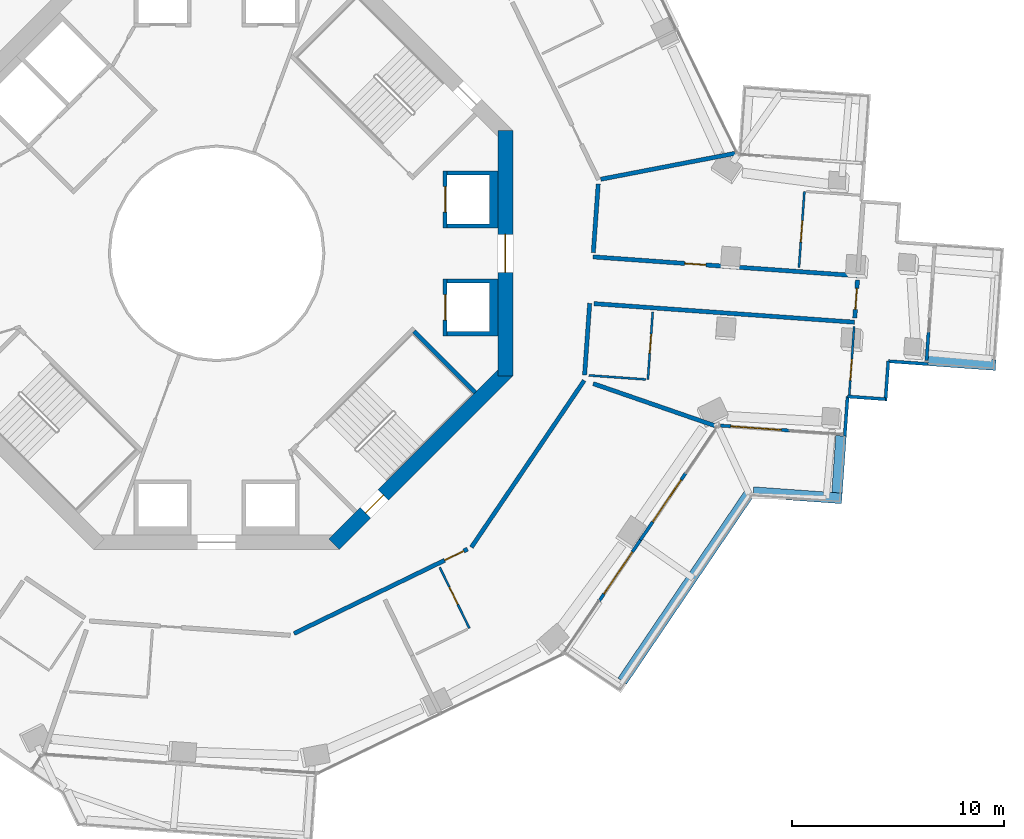
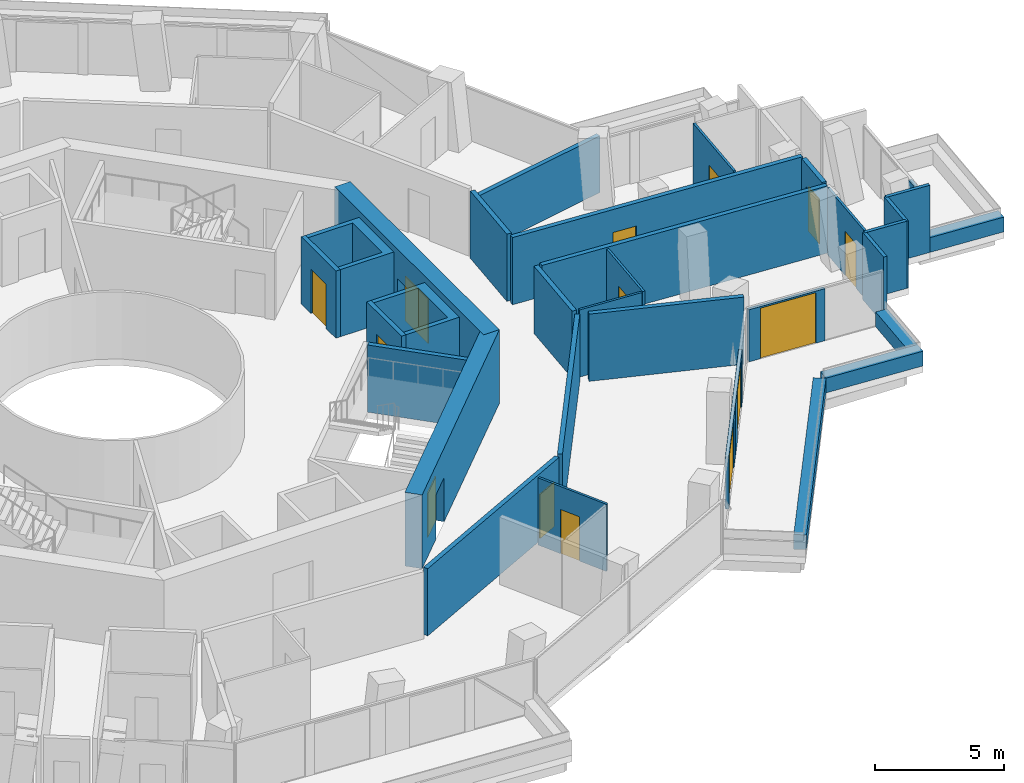
# One storey, part 16 of 22: 33 walls, 14 doors, 14 openings.
"""IFC4 building model written with IfcOpenShell, lengths in metres."""

from ifc_helpers import new_model, si_unit, direction, frame, frame_2d, origin, place, context, subcontext, project, spatial, polyline, rectangle, outline, extrude, material, layer, layer_set, type_object, element, fill, save


model = new_model("IFC4")

# Units and contexts
model_context = context("Model", 3, precision=1e-05, world=origin(), true_north=direction((0.0, 1.0)))
body_context = subcontext(model_context, "Body", "Model", "MODEL_VIEW")
ifc_project = project(units=[si_unit("LENGTHUNIT", "METRE"), si_unit("AREAUNIT", "SQUARE_METRE"), si_unit("VOLUMEUNIT", "CUBIC_METRE"), si_unit("PLANEANGLEUNIT", "RADIAN"), si_unit("MASSUNIT", "GRAM", prefix="KILO")], contexts=[model_context])

# Site, building, storey
site_placement = place(None, origin())
site = spatial("IfcSite", under=ifc_project, at=site_placement, CompositionType="ELEMENT")
building_placement = place(site_placement, origin())
building = spatial("IfcBuilding", under=site, at=building_placement, Name="Verdalira Terraces Hotel", CompositionType="ELEMENT")
storey_placement = place(building_placement, frame((0.0, 0.0, 140.0)))
storey = spatial("IfcBuildingStorey", under=building, at=storey_placement, Name="L33", CompositionType="ELEMENT", Elevation=140.0)

# Walls
ifc_material_1 = material(Name="Concrete C40", Category="concrete")
ifc_layer_1 = layer(ifc_material_1, 0.5)
ifc_layer_set_1 = layer_set([ifc_layer_1], Name="Balcony planter trough with tree")
wall_type_1 = type_object("IfcWallType", Name="Balcony planter trough with tree", PredefinedType="SOLIDWALL", material=ifc_layer_set_1)
wall_1_placement = place(storey_placement, frame((19.17334, -20.21582, 0.0), z_axis=(0.0, 0.0, 1.0), x_axis=(0.560356999, 0.82825119, 0.0)))
element("IfcWall", 1, at=wall_1_placement, inside=storey, type_object=wall_type_1, Name="Balcony planter", PredefinedType="SOLIDWALL", context=body_context, shape_type="SweptSolid", body=[
    extrude(rectangle(XDim=10.652588, YDim=0.5, at=frame_2d((5.326172, 0.0))), origin(), (0.0, 0.0, 1.0), 0.699951),
])
wall_2_placement = place(storey_placement, frame((25.367432, -11.283447, 0.0), z_axis=(0.0, 0.0, 1.0), x_axis=(0.997467254, -0.071127191, 0.0)))
element("IfcWall", 2, at=wall_2_placement, inside=storey, type_object=wall_type_1, Name="Balcony planter", PredefinedType="SOLIDWALL", context=body_context, shape_type="SweptSolid", body=[
    extrude(rectangle(XDim=4.197998, YDim=0.5, at=frame_2d((2.099121, 0.0))), origin(), (0.0, 0.0, 1.0), 0.699951),
])
wall_3_placement = place(storey_placement, frame((29.322998, -11.314941, 0.0), z_axis=(0.0, 0.0, 1.0), x_axis=(0.071189194, 0.997462831, 0.0)))
element("IfcWall", 3, at=wall_3_placement, inside=storey, type_object=wall_type_1, Name="Balcony planter", PredefinedType="SOLIDWALL", context=body_context, shape_type="SweptSolid", body=[
    extrude(rectangle(XDim=2.698975, YDim=0.5, at=frame_2d((1.349609, 0.0))), origin(), (0.0, 0.0, 1.0), 0.699951),
])
wall_4_placement = place(storey_placement, frame((33.630371, -5.055664, 0.0), z_axis=(0.0, 0.0, 1.0), x_axis=(0.997467215, -0.071127731, 0.0)))
element("IfcWall", 4, at=wall_4_placement, inside=storey, type_object=wall_type_1, Name="Balcony planter", PredefinedType="SOLIDWALL", context=body_context, shape_type="SweptSolid", body=[
    extrude(rectangle(XDim=3.198975, YDim=0.5, at=frame_2d((1.599609, 0.0))), origin(), (0.0, 0.0, 1.0), 0.699951),
])

# Wall, opening, door
ifc_material_2 = material(Name="Moisture-resistant gypsum board partition")
ifc_layer_2 = layer(ifc_material_2, 0.10009765625)
ifc_layer_set_2 = layer_set([ifc_layer_2], Name="Bathroom partition 100 mm")
wall_type_2 = type_object("IfcWallType", Name="Bathroom partition 100 mm", PredefinedType="PARTITIONING", material=ifc_layer_set_2)
wall_5_placement = place(storey_placement, frame((11.947021, -17.718506, 0.0), z_axis=(0.0, 0.0, 1.0), x_axis=(-0.437175564, 0.899376187, 0.0)))
wall_5 = element("IfcWall", 5, at=wall_5_placement, inside=storey, type_object=wall_type_2, Name="Bathroom partition", PredefinedType="PARTITIONING", context=body_context, shape_type="SweptSolid", body=[
    extrude(rectangle(XDim=3.199951, YDim=0.100098, at=frame_2d((1.600098, 0.0))), origin(), (0.0, 0.0, 1.0), 3.189941),
])
opening_1_placement = place(wall_5_placement, frame((1.25, 0.0, 0.0)))
opening_1 = element("IfcOpeningElement", 6, at=opening_1_placement, cuts=wall_5, Name="Opening L33-120", PredefinedType="OPENING", context=body_context, shape_type="SweptSolid", body=[
    extrude(rectangle(XDim=0.899902, YDim=2.100098, at=frame_2d((0.449951, 1.050049))), frame((0.0, 0.060059, 0.0), z_axis=(0.0, -1.0, 0.0), x_axis=(1.0, 0.0, 0.0)), (0.0, 0.0, 1.0), 0.120117),
])
ifc_material_3 = material(Name="Timber door", Category="wood")
door_type_1 = type_object("IfcDoorType", Name="Bathroom door 900 x 2100", OperationType="NOTDEFINED", PredefinedType="DOOR", material=ifc_material_3)
door_1_placement = place(opening_1_placement, origin())
door_1 = element("IfcDoor", 7, at=door_1_placement, inside=storey, type_object=door_type_1, Name="Bathroom door 3307", OperationType="SINGLE_SWING_LEFT", OverallHeight=2.10009765625, OverallWidth=0.89990234375, PredefinedType="DOOR", context=body_context, shape_type="SweptSolid", body=[
    extrude(rectangle(XDim=0.899902, YDim=2.100098, at=frame_2d((0.449951, 1.050049))), frame((0.0, 0.024902, 0.0), z_axis=(0.0, -1.0, 0.0), x_axis=(1.0, 0.0, 0.0)), (0.0, 0.0, 1.0), 0.050049),
])
fill(opening_1, door_1)

# Wall
wall_6_placement = place(storey_placement, frame((17.592529, -5.766357, 0.0), z_axis=(0.0, 0.0, 1.0), x_axis=(0.997465121, -0.071157093, 0.0)))
element("IfcWall", 8, at=wall_6_placement, inside=storey, type_object=wall_type_2, Name="Bathroom partition", PredefinedType="PARTITIONING", context=body_context, shape_type="SweptSolid", body=[
    extrude(rectangle(XDim=2.700195, YDim=0.100098, at=frame_2d((1.350098, 0.0))), origin(), (0.0, 0.0, 1.0), 3.189941),
])

# Wall, opening, door
wall_7_placement = place(storey_placement, frame((20.385498, -5.965576, 0.0), z_axis=(0.0, 0.0, 1.0), x_axis=(0.071181987, 0.997463345, 0.0)))
wall_7 = element("IfcWall", 9, at=wall_7_placement, inside=storey, type_object=wall_type_2, Name="Bathroom partition", PredefinedType="PARTITIONING", context=body_context, shape_type="SweptSolid", body=[
    extrude(rectangle(XDim=3.199951, YDim=0.100098, at=frame_2d((1.600098, 0.0))), origin(), (0.0, 0.0, 1.0), 3.189941),
])
opening_2_placement = place(wall_7_placement, frame((1.25, 0.0, 0.0)))
opening_2 = element("IfcOpeningElement", 10, at=opening_2_placement, cuts=wall_7, Name="Opening L33-123", PredefinedType="OPENING", context=body_context, shape_type="SweptSolid", body=[
    extrude(rectangle(XDim=0.899902, YDim=2.100098, at=frame_2d((0.449951, 1.050049))), frame((0.0, 0.060059, 0.0), z_axis=(0.0, -1.0, 0.0), x_axis=(1.0, 0.0, 0.0)), (0.0, 0.0, 1.0), 0.120117),
])
door_2_placement = place(opening_2_placement, origin())
door_2 = element("IfcDoor", 11, at=door_2_placement, inside=storey, type_object=door_type_1, Name="Bathroom door 3308", OperationType="SINGLE_SWING_LEFT", OverallHeight=2.10009765625, OverallWidth=0.89990234375, PredefinedType="DOOR", context=body_context, shape_type="SweptSolid", body=[
    extrude(rectangle(XDim=0.899902, YDim=2.100098, at=frame_2d((0.449951, 1.050049))), frame((0.0, 0.024902, 0.0), z_axis=(0.0, -1.0, 0.0), x_axis=(1.0, 0.0, 0.0)), (0.0, 0.0, 1.0), 0.050049),
])
fill(opening_2, door_2)

wall_8_placement = place(storey_placement, frame((27.782715, 2.930664, 0.0), z_axis=(0.0, 0.0, 1.0), x_axis=(-0.07114102, -0.997466268, 0.0)))
wall_8 = element("IfcWall", 12, at=wall_8_placement, inside=storey, type_object=wall_type_2, Name="Bathroom partition", PredefinedType="PARTITIONING", context=body_context, shape_type="SweptSolid", body=[
    extrude(rectangle(XDim=3.599854, YDim=0.100098, at=frame_2d((1.799805, 0.0))), origin(), (0.0, 0.0, 1.0), 3.189941),
])
opening_3_placement = place(wall_8_placement, frame((1.399902, 0.0, 0.0)))
opening_3 = element("IfcOpeningElement", 13, at=opening_3_placement, cuts=wall_8, Name="Opening L33-125", PredefinedType="OPENING", context=body_context, shape_type="SweptSolid", body=[
    extrude(rectangle(XDim=1.0, YDim=2.100098, at=frame_2d((0.5, 1.050049))), frame((0.0, 0.060059, 0.0), z_axis=(0.0, -1.0, 0.0), x_axis=(1.0, 0.0, 0.0)), (0.0, 0.0, 1.0), 0.120117),
])
ifc_material_4 = material(Name="Timber door", Category="wood")
door_type_2 = type_object("IfcDoorType", Name="Bathroom door 1000 x 2100", OperationType="NOTDEFINED", PredefinedType="DOOR", material=ifc_material_4)
door_3_placement = place(opening_3_placement, origin())
door_3 = element("IfcDoor", 14, at=door_3_placement, inside=storey, type_object=door_type_2, Name="Bathroom door 3309", OperationType="SINGLE_SWING_LEFT", OverallHeight=2.10009765625, OverallWidth=1.0, PredefinedType="DOOR", context=body_context, shape_type="SweptSolid", body=[
    extrude(rectangle(XDim=1.0, YDim=2.100098, at=frame_2d((0.5, 1.050049))), frame((0.0, 0.024902, 0.0), z_axis=(0.0, -1.0, 0.0), x_axis=(1.0, 0.0, 0.0)), (0.0, 0.0, 1.0), 0.050049),
])
fill(opening_3, door_3)

wall_9_placement = place(storey_placement, frame((29.903076, -6.696533, 0.0), z_axis=(0.0, 0.0, 1.0), x_axis=(0.071172355, 0.997464032, 0.0)))
wall_9 = element("IfcWall", 15, at=wall_9_placement, inside=storey, type_object=wall_type_2, Name="Bathroom partition", PredefinedType="PARTITIONING", context=body_context, shape_type="SweptSolid", body=[
    extrude(rectangle(XDim=3.251953, YDim=0.100098, at=frame_2d((1.625977, 0.0))), origin(), (0.0, 0.0, 1.0), 3.189941),
])
opening_4_placement = place(wall_9_placement, frame((0.699951, 0.0, 0.0)))
opening_4 = element("IfcOpeningElement", 16, at=opening_4_placement, cuts=wall_9, Name="Opening L33-122", PredefinedType="OPENING", context=body_context, shape_type="SweptSolid", body=[
    extrude(rectangle(XDim=1.0, YDim=2.100098, at=frame_2d((0.5, 1.050049))), frame((0.0, 0.060059, 0.0), z_axis=(0.0, -1.0, 0.0), x_axis=(1.0, 0.0, 0.0)), (0.0, 0.0, 1.0), 0.120117),
])
ifc_material_5 = material(Name="Timber door", Category="wood")
door_type_3 = type_object("IfcDoorType", Name="Suite internal door 1000 x 2100", OperationType="NOTDEFINED", PredefinedType="DOOR", material=ifc_material_5)
door_4_placement = place(opening_4_placement, origin())
door_4 = element("IfcDoor", 17, at=door_4_placement, inside=storey, type_object=door_type_3, Name="Suite internal door 3308", OperationType="SINGLE_SWING_LEFT", OverallHeight=2.10009765625, OverallWidth=1.0, PredefinedType="DOOR", context=body_context, shape_type="SweptSolid", body=[
    extrude(rectangle(XDim=1.0, YDim=2.100098, at=frame_2d((0.5, 1.050049))), frame((0.0, 0.024902, 0.0), z_axis=(0.0, -1.0, 0.0), x_axis=(1.0, 0.0, 0.0)), (0.0, 0.0, 1.0), 0.050049),
])
fill(opening_4, door_4)

# Wall
ifc_material_6 = material(Name="Concrete C50", Category="concrete")
ifc_layer_3 = layer(ifc_material_6, 0.199951171875)
ifc_layer_set_3 = layer_set([ifc_layer_3], Name="Core RC wall 200 C50")
wall_type_3 = type_object("IfcWallType", Name="Core RC wall 200 C50", PredefinedType="SOLIDWALL", material=ifc_layer_set_3)
wall_10_placement = place(storey_placement, origin())
element("IfcWall", 18, at=wall_10_placement, inside=storey, type_object=wall_type_3, Name="L33 shaft wall E1", PredefinedType="SOLIDWALL", context=body_context, shape_type="SweptSolid", body=[
    extrude(outline(polyline([(13.300049, -3.899902), (10.899902, -3.899902), (10.899902, -3.699951), (12.899902, -3.699951), (12.899902, -1.399902), (10.899902, -1.399902), (10.899902, -1.199951), (13.300049, -1.199951), (13.300049, -3.899902)])), origin(), (0.0, 0.0, 1.0), 3.189941),
])

# Wall, opening, door
wall_11_placement = place(storey_placement, frame((10.800049, -1.199951, 0.0), z_axis=(0.0, 0.0, 1.0), x_axis=(0.0, -1.0, 0.0)))
wall_11 = element("IfcWall", 19, at=wall_11_placement, inside=storey, type_object=wall_type_3, Name="L33 shaft front wall E1", PredefinedType="SOLIDWALL", context=body_context, shape_type="SweptSolid", body=[
    extrude(rectangle(XDim=2.699951, YDim=0.199951, at=frame_2d((1.350098, 0.0))), origin(), (0.0, 0.0, 1.0), 3.189941),
])
opening_5_placement = place(wall_11_placement, frame((0.75, 0.0, 0.0)))
opening_5 = element("IfcOpeningElement", 20, at=opening_5_placement, cuts=wall_11, Name="Opening LD-L33-801", PredefinedType="OPENING", context=body_context, shape_type="SweptSolid", body=[
    extrude(rectangle(XDim=1.199951, YDim=2.100098, at=frame_2d((0.600098, 1.050049))), frame((0.0, 0.109863, 0.0), z_axis=(0.0, -1.0, 0.0), x_axis=(1.0, 0.0, 0.0)), (0.0, 0.0, 1.0), 0.219971),
])
ifc_material_7 = material(Name="Stainless steel", Category="steel")
door_type_4 = type_object("IfcDoorType", Name="Landing door 1200 x 2100", OperationType="NOTDEFINED", PredefinedType="DOOR", material=ifc_material_7)
door_5_placement = place(opening_5_placement, origin())
door_5 = element("IfcDoor", 21, at=door_5_placement, inside=storey, type_object=door_type_4, Name="Lift landing door LR1 L33", OperationType="DOUBLE_DOOR_SLIDING", OverallHeight=2.10009765625, OverallWidth=1.199951171875, PredefinedType="DOOR", context=body_context, shape_type="SweptSolid", body=[
    extrude(rectangle(XDim=1.199951, YDim=2.100098, at=frame_2d((0.600098, 1.050049))), frame((0.0, 0.024902, 0.0), z_axis=(0.0, -1.0, 0.0), x_axis=(1.0, 0.0, 0.0)), (0.0, 0.0, 1.0), 0.050049),
])
fill(opening_5, door_5)

# Wall
wall_12_placement = place(storey_placement, origin())
element("IfcWall", 22, at=wall_12_placement, inside=storey, type_object=wall_type_3, Name="L33 shaft wall E2", PredefinedType="SOLIDWALL", context=body_context, shape_type="SweptSolid", body=[
    extrude(outline(polyline([(13.300049, 3.899902), (13.300049, 1.199951), (10.899902, 1.199951), (10.899902, 1.399902), (12.899902, 1.399902), (12.899902, 3.699951), (10.899902, 3.699951), (10.899902, 3.899902), (13.300049, 3.899902)])), origin(), (0.0, 0.0, 1.0), 3.189941),
])

# Wall, opening, door
wall_13_placement = place(storey_placement, frame((10.800049, 1.199951, 0.0), z_axis=(0.0, 0.0, 1.0), x_axis=(0.0, 1.0, 0.0)))
wall_13 = element("IfcWall", 23, at=wall_13_placement, inside=storey, type_object=wall_type_3, Name="L33 shaft front wall E2", PredefinedType="SOLIDWALL", context=body_context, shape_type="SweptSolid", body=[
    extrude(rectangle(XDim=2.699951, YDim=0.199951, at=frame_2d((1.350098, 0.0))), origin(), (0.0, 0.0, 1.0), 3.189941),
])
opening_6_placement = place(wall_13_placement, frame((0.75, 0.0, 0.0)))
opening_6 = element("IfcOpeningElement", 24, at=opening_6_placement, cuts=wall_13, Name="Opening LD-L33-802", PredefinedType="OPENING", context=body_context, shape_type="SweptSolid", body=[
    extrude(rectangle(XDim=1.199951, YDim=2.100098, at=frame_2d((0.600098, 1.050049))), frame((0.0, 0.109863, 0.0), z_axis=(0.0, -1.0, 0.0), x_axis=(1.0, 0.0, 0.0)), (0.0, 0.0, 1.0), 0.219971),
])
door_6_placement = place(opening_6_placement, origin())
door_6 = element("IfcDoor", 25, at=door_6_placement, inside=storey, type_object=door_type_4, Name="Lift landing door LR2 L33", OperationType="DOUBLE_DOOR_SLIDING", OverallHeight=2.10009765625, OverallWidth=1.199951171875, PredefinedType="DOOR", context=body_context, shape_type="SweptSolid", body=[
    extrude(rectangle(XDim=1.199951, YDim=2.100098, at=frame_2d((0.600098, 1.050049))), frame((0.0, 0.024902, 0.0), z_axis=(0.0, -1.0, 0.0), x_axis=(1.0, 0.0, 0.0)), (0.0, 0.0, 1.0), 0.050049),
])
fill(opening_6, door_6)

# Wall
wall_14_placement = place(storey_placement, frame((9.33374, -3.677002, 0.0), z_axis=(0.0, 0.0, 1.0), x_axis=(0.707106781, -0.707106781, 0.0)))
element("IfcWall", 26, at=wall_14_placement, inside=storey, type_object=wall_type_3, Name="L33 stair ST3 end wall 2", PredefinedType="SOLIDWALL", context=body_context, shape_type="SweptSolid", body=[
    extrude(rectangle(XDim=4.100098, YDim=0.199951, at=frame_2d((2.050049, 0.0))), origin(), (0.0, 0.0, 1.0), 3.189941),
])

# Wall, opening, door
ifc_material_8 = material(Name="Concrete C60", Category="concrete")
ifc_layer_4 = layer(ifc_material_8, 0.699951171875)
ifc_layer_set_4 = layer_set([ifc_layer_4], Name="Core wall 700 C60")
wall_type_4 = type_object("IfcWallType", Name="Core wall 700 C60", PredefinedType="SHEAR", material=ifc_layer_set_4)
wall_15_placement = place(storey_placement, frame((13.649902, -5.799072, 0.0), z_axis=(0.0, 0.0, 1.0), x_axis=(0.0, 1.0, 0.0)))
wall_15 = element("IfcWall", 27, at=wall_15_placement, inside=storey, type_object=wall_type_4, Name="Core wall CW-L33-1", PredefinedType="SHEAR", context=body_context, shape_type="SweptSolid", body=[
    extrude(rectangle(XDim=11.598145, YDim=0.699951, at=frame_2d((5.799072, 0.0))), origin(), (0.0, 0.0, 1.0), 3.5),
])
opening_7_placement = place(wall_15_placement, frame((4.898926, 0.0, 0.0)))
opening_7 = element("IfcOpeningElement", 28, at=opening_7_placement, cuts=wall_15, Name="Opening L33-812", PredefinedType="OPENING", context=body_context, shape_type="SweptSolid", body=[
    extrude(rectangle(XDim=1.800049, YDim=2.100098, at=frame_2d((0.899902, 1.050049))), frame((0.0, 0.359863, 0.0), z_axis=(0.0, -1.0, 0.0), x_axis=(1.0, 0.0, 0.0)), (0.0, 0.0, 1.0), 0.719971),
])
ifc_material_9 = material(Name="Steel fire door", Category="steel")
door_type_5 = type_object("IfcDoorType", Name="Core entry door pair 1800 x 2100", OperationType="NOTDEFINED", PredefinedType="DOOR", material=ifc_material_9)
door_7_placement = place(opening_7_placement, origin())
door_7 = element("IfcDoor", 29, at=door_7_placement, inside=storey, type_object=door_type_5, Name="Core entry door L33 0", OperationType="DOUBLE_DOOR_SINGLE_SWING", OverallHeight=2.10009765625, OverallWidth=1.800048828125, PredefinedType="DOOR", context=body_context, shape_type="SweptSolid", body=[
    extrude(rectangle(XDim=1.800049, YDim=2.100098, at=frame_2d((0.899902, 1.050049))), frame((0.0, 0.024902, 0.0), z_axis=(0.0, -1.0, 0.0), x_axis=(1.0, 0.0, 0.0)), (0.0, 0.0, 1.0), 0.050049),
])
fill(opening_7, door_7)

wall_16_placement = place(storey_placement, frame((5.551514, -13.752441, 0.0), z_axis=(0.0, 0.0, 1.0), x_axis=(0.707106781, 0.707106781, 0.0)))
wall_16 = element("IfcWall", 30, at=wall_16_placement, inside=storey, type_object=wall_type_4, Name="Core wall CW-L33-8", PredefinedType="SHEAR", context=body_context, shape_type="SweptSolid", body=[
    extrude(rectangle(XDim=11.5979, YDim=0.699951, at=frame_2d((5.798828, 0.0))), origin(), (0.0, 0.0, 1.0), 3.5),
])
opening_8_placement = place(wall_16_placement, frame((2.099121, 0.0, 0.0)))
opening_8 = element("IfcOpeningElement", 31, at=opening_8_placement, cuts=wall_16, Name="Opening L33-818", PredefinedType="OPENING", context=body_context, shape_type="SweptSolid", body=[
    extrude(rectangle(XDim=1.199951, YDim=2.100098, at=frame_2d((0.600098, 1.050049))), frame((0.0, 0.359863, 0.0), z_axis=(0.0, -1.0, 0.0), x_axis=(1.0, 0.0, 0.0)), (0.0, 0.0, 1.0), 0.719971),
])
ifc_material_10 = material(Name="Steel fire door", Category="steel")
door_type_6 = type_object("IfcDoorType", Name="Stair door 1200 x 2100", OperationType="NOTDEFINED", PredefinedType="DOOR", material=ifc_material_10)
door_8_placement = place(opening_8_placement, origin())
door_8 = element("IfcDoor", 32, at=door_8_placement, inside=storey, type_object=door_type_6, Name="Stair exit door ST3 L33", OperationType="SINGLE_SWING_LEFT", OverallHeight=2.10009765625, OverallWidth=1.199951171875, PredefinedType="DOOR", context=body_context, shape_type="SweptSolid", body=[
    extrude(rectangle(XDim=1.199951, YDim=2.100098, at=frame_2d((0.600098, 1.050049))), frame((0.0, 0.024902, 0.0), z_axis=(0.0, -1.0, 0.0), x_axis=(1.0, 0.0, 0.0)), (0.0, 0.0, 1.0), 0.050049),
])
fill(opening_8, door_8)

# Walls
ifc_material_11 = material(Name="Fire-rated gypsum board wall")
ifc_layer_5 = layer(ifc_material_11, 0.199951171875)
ifc_layer_set_5 = layer_set([ifc_layer_5], Name="Demising wall 200 mm")
wall_type_5 = type_object("IfcWallType", Name="Demising wall 200 mm", PredefinedType="SOLIDWALL", material=ifc_layer_set_5)
wall_17_placement = place(storey_placement, frame((17.797607, -6.156006, 0.0), z_axis=(0.0, 0.0, 1.0), x_axis=(0.945063679, -0.326886283, 0.0)))
element("IfcWall", 33, at=wall_17_placement, inside=storey, type_object=wall_type_5, Name="Demising wall", PredefinedType="SOLIDWALL", context=body_context, shape_type="SweptSolid", body=[
    extrude(rectangle(XDim=6.131836, YDim=0.199951, at=frame_2d((3.065918, 0.0))), origin(), (0.0, 0.0, 1.0), 3.189941),
])
ifc_material_12 = material(Name="Fire-rated gypsum board wall")
ifc_layer_6 = layer(ifc_material_12, 0.199951171875)
ifc_layer_set_6 = layer_set([ifc_layer_6], Name="Demising wall 200 mm to beam soffit")
wall_type_6 = type_object("IfcWallType", Name="Demising wall 200 mm to beam soffit", PredefinedType="SOLIDWALL", material=ifc_layer_set_6)
wall_18_placement = place(storey_placement, frame((18.153564, 3.502441, 0.0), z_axis=(0.0, 0.0, 1.0), x_axis=(0.981897644, 0.189412293, 0.0)))
element("IfcWall", 34, at=wall_18_placement, inside=storey, type_object=wall_type_6, Name="Demising wall", PredefinedType="SOLIDWALL", context=body_context, shape_type="SweptSolid", body=[
    extrude(rectangle(XDim=6.475586, YDim=0.199951, at=frame_2d((3.237793, 0.0))), origin(), (0.0, 0.0, 1.0), 2.689941),
])

# Wall, opening, door
ifc_material_13 = material(Name="Fire-rated gypsum board wall")
ifc_layer_7 = layer(ifc_material_13, 0.199951171875)
ifc_layer_set_7 = layer_set([ifc_layer_7], Name="Guest corridor wall 200 mm")
wall_type_7 = type_object("IfcWallType", Name="Guest corridor wall 200 mm", PredefinedType="SOLIDWALL", material=ifc_layer_set_7)
wall_19_placement = place(storey_placement, frame((11.861816, -13.979736, 0.0), z_axis=(0.0, 0.0, 1.0), x_axis=(-0.899416115, -0.437093413, 0.0)))
wall_19 = element("IfcWall", 35, at=wall_19_placement, inside=storey, type_object=wall_type_7, Name="Guest corridor wall", PredefinedType="SOLIDWALL", context=body_context, shape_type="SweptSolid", body=[
    extrude(rectangle(XDim=9.115723, YDim=0.199951, at=frame_2d((4.557861, 0.0))), origin(), (0.0, 0.0, 1.0), 3.189941),
])
opening_9_placement = place(wall_19_placement, frame((0.199951, 0.0, 0.0)))
opening_9 = element("IfcOpeningElement", 36, at=opening_9_placement, cuts=wall_19, Name="Opening L33-119", PredefinedType="OPENING", context=body_context, shape_type="SweptSolid", body=[
    extrude(rectangle(XDim=1.0, YDim=2.100098, at=frame_2d((0.5, 1.050049))), frame((0.0, 0.109863, 0.0), z_axis=(0.0, -1.0, 0.0), x_axis=(1.0, 0.0, 0.0)), (0.0, 0.0, 1.0), 0.219971),
])
ifc_material_14 = material(Name="Timber fire door", Category="wood")
door_type_7 = type_object("IfcDoorType", Name="Guest entry door 1000 x 2100", OperationType="NOTDEFINED", PredefinedType="DOOR", material=ifc_material_14)
door_9_placement = place(opening_9_placement, origin())
door_9 = element("IfcDoor", 37, at=door_9_placement, inside=storey, type_object=door_type_7, Name="Guest entry door 3307", OperationType="SINGLE_SWING_LEFT", OverallHeight=2.10009765625, OverallWidth=1.0, PredefinedType="DOOR", context=body_context, shape_type="SweptSolid", body=[
    extrude(rectangle(XDim=1.0, YDim=2.100098, at=frame_2d((0.5, 1.050049))), frame((0.0, 0.024902, 0.0), z_axis=(0.0, -1.0, 0.0), x_axis=(1.0, 0.0, 0.0)), (0.0, 0.0, 1.0), 0.050049),
])
fill(opening_9, door_9)

# Walls
wall_20_placement = place(storey_placement, frame((12.04248, -13.891602, 0.0), z_axis=(0.0, 0.0, 1.0), x_axis=(0.560341463, 0.828261701, 0.0)))
element("IfcWall", 38, at=wall_20_placement, inside=storey, type_object=wall_type_7, Name="Guest corridor wall", PredefinedType="SOLIDWALL", context=body_context, shape_type="SweptSolid", body=[
    extrude(rectangle(XDim=9.516113, YDim=0.199951, at=frame_2d((4.758057, 0.0))), origin(), (0.0, 0.0, 1.0), 3.189941),
])
wall_21_placement = place(storey_placement, frame((17.393311, -5.752197, 0.0), z_axis=(0.0, 0.0, 1.0), x_axis=(0.071083764, 0.99747035, 0.0)))
element("IfcWall", 39, at=wall_21_placement, inside=storey, type_object=wall_type_7, Name="Guest corridor wall", PredefinedType="SOLIDWALL", context=body_context, shape_type="SweptSolid", body=[
    extrude(rectangle(XDim=3.400146, YDim=0.199951, at=frame_2d((1.700195, 0.0))), origin(), (0.0, 0.0, 1.0), 3.189941),
])
wall_22_placement = place(storey_placement, frame((17.805908, 0.033203, 0.0), z_axis=(0.0, 0.0, 1.0), x_axis=(0.0711086, 0.997468579, 0.0)))
element("IfcWall", 40, at=wall_22_placement, inside=storey, type_object=wall_type_7, Name="Guest corridor wall", PredefinedType="SOLIDWALL", context=body_context, shape_type="SweptSolid", body=[
    extrude(rectangle(XDim=3.258301, YDim=0.199951, at=frame_2d((1.62915, 0.0))), origin(), (0.0, 0.0, 1.0), 3.189941),
])
wall_23_placement = place(storey_placement, frame((17.834717, -2.375, 0.0), z_axis=(0.0, 0.0, 1.0), x_axis=(0.997465321, -0.071154293, 0.0)))
element("IfcWall", 41, at=wall_23_placement, inside=storey, type_object=wall_type_7, Name="Guest corridor wall", PredefinedType="SOLIDWALL", context=body_context, shape_type="SweptSolid", body=[
    extrude(rectangle(XDim=12.345215, YDim=0.199951, at=frame_2d((6.172607, 0.0))), origin(), (0.0, 0.0, 1.0), 3.189941),
])

# Wall, opening, door
wall_24_placement = place(storey_placement, frame((17.791504, -0.16626, 0.0), z_axis=(0.0, 0.0, 1.0), x_axis=(0.997465906, -0.071146094, 0.0)))
wall_24 = element("IfcWall", 42, at=wall_24_placement, inside=storey, type_object=wall_type_7, Name="Guest corridor wall", PredefinedType="SOLIDWALL", context=body_context, shape_type="SweptSolid", body=[
    extrude(rectangle(XDim=12.545654, YDim=0.199951, at=frame_2d((6.272949, 0.0))), origin(), (0.0, 0.0, 1.0), 3.189941),
])
opening_10_placement = place(wall_24_placement, frame((4.350098, 0.0, 0.0)))
opening_10 = element("IfcOpeningElement", 43, at=opening_10_placement, cuts=wall_24, Name="Opening L33-124", PredefinedType="OPENING", context=body_context, shape_type="SweptSolid", body=[
    extrude(rectangle(XDim=1.0, YDim=2.100098, at=frame_2d((0.5, 1.050049))), frame((0.0, 0.109863, 0.0), z_axis=(0.0, -1.0, 0.0), x_axis=(1.0, 0.0, 0.0)), (0.0, 0.0, 1.0), 0.219971),
])
door_10_placement = place(opening_10_placement, origin())
door_10 = element("IfcDoor", 44, at=door_10_placement, inside=storey, type_object=door_type_7, Name="Guest entry door 3309", OperationType="SINGLE_SWING_LEFT", OverallHeight=2.10009765625, OverallWidth=1.0, PredefinedType="DOOR", context=body_context, shape_type="SweptSolid", body=[
    extrude(rectangle(XDim=1.0, YDim=2.100098, at=frame_2d((0.5, 1.050049))), frame((0.0, 0.024902, 0.0), z_axis=(0.0, -1.0, 0.0), x_axis=(1.0, 0.0, 0.0)), (0.0, 0.0, 1.0), 0.050049),
])
fill(opening_10, door_10)

wall_25_placement = place(storey_placement, frame((30.29126, -1.256348, 0.0), z_axis=(0.0, 0.0, 1.0), x_axis=(-0.071179732, -0.997463506, 0.0)))
wall_25 = element("IfcWall", 45, at=wall_25_placement, inside=storey, type_object=wall_type_7, Name="Guest corridor wall", PredefinedType="SOLIDWALL", context=body_context, shape_type="SweptSolid", body=[
    extrude(rectangle(XDim=1.804199, YDim=0.199951, at=frame_2d((0.9021, 0.0))), origin(), (0.0, 0.0, 1.0), 3.189941),
])
opening_11_placement = place(wall_25_placement, frame((0.399902, 0.0, 0.0)))
opening_11 = element("IfcOpeningElement", 46, at=opening_11_placement, cuts=wall_25, Name="Opening L33-121", PredefinedType="OPENING", context=body_context, shape_type="SweptSolid", body=[
    extrude(rectangle(XDim=1.0, YDim=2.100098, at=frame_2d((0.5, 1.050049))), frame((0.0, 0.109863, 0.0), z_axis=(0.0, -1.0, 0.0), x_axis=(1.0, 0.0, 0.0)), (0.0, 0.0, 1.0), 0.219971),
])
door_11_placement = place(opening_11_placement, origin())
door_11 = element("IfcDoor", 47, at=door_11_placement, inside=storey, type_object=door_type_7, Name="Guest entry door 3308", OperationType="SINGLE_SWING_LEFT", OverallHeight=2.10009765625, OverallWidth=1.0, PredefinedType="DOOR", context=body_context, shape_type="SweptSolid", body=[
    extrude(rectangle(XDim=1.0, YDim=2.100098, at=frame_2d((0.5, 1.050049))), frame((0.0, 0.024902, 0.0), z_axis=(0.0, -1.0, 0.0), x_axis=(1.0, 0.0, 0.0)), (0.0, 0.0, 1.0), 0.050049),
])
fill(opening_11, door_11)

# Walls
ifc_material_15 = material(Name="Terracotta cladding", Category="masonry")
ifc_layer_8 = layer(ifc_material_15, 0.14990234375)
ifc_layer_set_8 = layer_set([ifc_layer_8], Name="Terracotta clad wall 150")
wall_type_8 = type_object("IfcWallType", Name="Terracotta clad wall 150", PredefinedType="SOLIDWALL", material=ifc_layer_set_8)
wall_26_placement = place(storey_placement, frame((29.689697, -8.634277, 0.0), z_axis=(0.0, 0.0, 1.0), x_axis=(0.071219292, 0.997460682, 0.0)))
element("IfcWall", 48, at=wall_26_placement, inside=storey, type_object=wall_type_8, Name="Terracotta cladding wall", PredefinedType="SOLIDWALL", context=body_context, shape_type="SweptSolid", body=[
    extrude(rectangle(XDim=1.875244, YDim=0.149902, at=frame_2d((0.9375, 0.0))), origin(), (0.0, 0.0, 1.0), 3.189941),
])
wall_27_placement = place(storey_placement, frame((29.823242, -6.763916, 0.0), z_axis=(0.0, 0.0, 1.0), x_axis=(0.997461453, -0.071208494, 0.0)))
element("IfcWall", 49, at=wall_27_placement, inside=storey, type_object=wall_type_8, Name="Terracotta cladding wall", PredefinedType="SOLIDWALL", context=body_context, shape_type="SweptSolid", body=[
    extrude(rectangle(XDim=1.800049, YDim=0.149902, at=frame_2d((0.899902, 0.0))), origin(), (0.0, 0.0, 1.0), 3.189941),
])
wall_28_placement = place(storey_placement, frame((31.613281, -6.966797, 0.0), z_axis=(0.0, 0.0, 1.0), x_axis=(0.071098984, 0.997469265, 0.0)))
element("IfcWall", 50, at=wall_28_placement, inside=storey, type_object=wall_type_8, Name="Terracotta cladding wall", PredefinedType="SOLIDWALL", context=body_context, shape_type="SweptSolid", body=[
    extrude(rectangle(XDim=1.874756, YDim=0.149902, at=frame_2d((0.9375, 0.0))), origin(), (0.0, 0.0, 1.0), 3.189941),
])
wall_29_placement = place(storey_placement, frame((31.746582, -5.09668, 0.0), z_axis=(0.0, 0.0, 1.0), x_axis=(0.997469923, -0.07108975, 0.0)))
element("IfcWall", 51, at=wall_29_placement, inside=storey, type_object=wall_type_8, Name="Terracotta cladding wall", PredefinedType="SOLIDWALL", context=body_context, shape_type="SweptSolid", body=[
    extrude(rectangle(XDim=1.875, YDim=0.149902, at=frame_2d((0.9375, 0.0))), origin(), (0.0, 0.0, 1.0), 3.189941),
])
ifc_material_16 = material(Name="Terracotta cladding", Category="masonry")
ifc_layer_9 = layer(ifc_material_16, 0.14990234375)
ifc_layer_set_9 = layer_set([ifc_layer_9], Name="Terracotta column pier 150")
wall_type_9 = type_object("IfcWallType", Name="Terracotta column pier 150", PredefinedType="SOLIDWALL", material=ifc_layer_set_9)
wall_30_placement = place(storey_placement, frame((33.553223, -5.070068, 0.0), z_axis=(0.0, 0.0, 1.0), x_axis=(0.070994152, 0.997476732, 0.0)))
element("IfcWall", 52, at=wall_30_placement, inside=storey, type_object=wall_type_9, Name="Terracotta column pier", PredefinedType="SOLIDWALL", context=body_context, shape_type="SweptSolid", body=[
    extrude(rectangle(XDim=1.37207, YDim=0.149902, at=frame_2d((0.686035, 0.0))), origin(), (0.0, 0.0, 1.0), 2.475098),
])

# Wall, opening, door
ifc_material_17 = material(Name="Terracotta cladding", Category="masonry")
ifc_layer_10 = layer(ifc_material_17, 0.14990234375)
ifc_layer_set_10 = layer_set([ifc_layer_10], Name="Terracotta door pier 150")
wall_type_10 = type_object("IfcWallType", Name="Terracotta door pier 150", PredefinedType="SOLIDWALL", material=ifc_layer_set_10)
wall_31_placement = place(storey_placement, frame((18.082764, -16.429199, 0.0), z_axis=(0.0, 0.0, 1.0), x_axis=(0.560361819, 0.828247929, 0.0)))
wall_31 = element("IfcWall", 53, at=wall_31_placement, inside=storey, type_object=wall_type_10, Name="Terracotta door pier", PredefinedType="SOLIDWALL", context=body_context, shape_type="SweptSolid", body=[
    extrude(rectangle(XDim=3.475098, YDim=0.149902, at=frame_2d((1.737549, 0.0))), origin(), (0.0, 0.0, 1.0), 2.475098),
])
opening_12_placement = place(wall_31_placement, frame((0.399902, 0.0, 0.0)))
opening_12 = element("IfcOpeningElement", 54, at=opening_12_placement, cuts=wall_31, Name="Opening L33-B06", PredefinedType="OPENING", context=body_context, shape_type="SweptSolid", body=[
    extrude(rectangle(XDim=2.399902, YDim=2.399902, at=frame_2d((1.199951, 1.199951))), frame((0.0, 0.084961, 0.0), z_axis=(0.0, -1.0, 0.0), x_axis=(1.0, 0.0, 0.0)), (0.0, 0.0, 1.0), 0.169922),
])
ifc_material_18 = material(Name="Clear glass", Category="glass")
door_type_8 = type_object("IfcDoorType", Name="Balcony sliding door 2400x2400", OperationType="NOTDEFINED", PredefinedType="DOOR", material=ifc_material_18)
door_12_placement = place(opening_12_placement, origin())
door_12 = element("IfcDoor", 55, at=door_12_placement, inside=storey, type_object=door_type_8, Name="Balcony sliding door", OperationType="SLIDING_TO_RIGHT", OverallHeight=2.39990234375, OverallWidth=2.39990234375, PredefinedType="DOOR", context=body_context, shape_type="SweptSolid", body=[
    extrude(rectangle(XDim=2.399902, YDim=2.399902, at=frame_2d((1.199951, 1.199951))), frame((0.0, 0.024902, 0.0), z_axis=(0.0, -1.0, 0.0), x_axis=(1.0, 0.0, 0.0)), (0.0, 0.0, 1.0), 0.050049),
])
fill(opening_12, door_12)

wall_32_placement = place(storey_placement, frame((20.030029, -13.551025, 0.0), z_axis=(0.0, 0.0, 1.0), x_axis=(0.560342762, 0.828260822, 0.0)))
wall_32 = element("IfcWall", 56, at=wall_32_placement, inside=storey, type_object=wall_type_10, Name="Terracotta door pier", PredefinedType="SOLIDWALL", context=body_context, shape_type="SweptSolid", body=[
    extrude(rectangle(XDim=3.835449, YDim=0.149902, at=frame_2d((1.917725, 0.0))), origin(), (0.0, 0.0, 1.0), 2.475098),
])
opening_13_placement = place(wall_32_placement, frame((1.0354, 0.0, 0.0)))
opening_13 = element("IfcOpeningElement", 57, at=opening_13_placement, cuts=wall_32, Name="Opening L33-B07", PredefinedType="OPENING", context=body_context, shape_type="SweptSolid", body=[
    extrude(rectangle(XDim=2.399902, YDim=2.399902, at=frame_2d((1.199951, 1.199951))), frame((0.0, 0.084961, 0.0), z_axis=(0.0, -1.0, 0.0), x_axis=(1.0, 0.0, 0.0)), (0.0, 0.0, 1.0), 0.169922),
])
door_13_placement = place(opening_13_placement, origin())
door_13 = element("IfcDoor", 58, at=door_13_placement, inside=storey, type_object=door_type_8, Name="Balcony sliding door", OperationType="SLIDING_TO_LEFT", OverallHeight=2.39990234375, OverallWidth=2.39990234375, PredefinedType="DOOR", context=body_context, shape_type="SweptSolid", body=[
    extrude(rectangle(XDim=2.399902, YDim=2.399902, at=frame_2d((1.199951, 1.199951))), frame((0.0, 0.024902, 0.0), z_axis=(0.0, -1.0, 0.0), x_axis=(1.0, 0.0, 0.0)), (0.0, 0.0, 1.0), 0.050049),
])
fill(opening_13, door_13)

wall_33_placement = place(storey_placement, frame((23.80957, -8.139648, 0.0), z_axis=(0.0, 0.0, 1.0), x_axis=(0.997464717, -0.071162762, 0.0)))
wall_33 = element("IfcWall", 59, at=wall_33_placement, inside=storey, type_object=wall_type_10, Name="Terracotta door pier", PredefinedType="SOLIDWALL", context=body_context, shape_type="SweptSolid", body=[
    extrude(rectangle(XDim=3.293457, YDim=0.149902, at=frame_2d((1.646729, 0.0))), origin(), (0.0, 0.0, 1.0), 2.475098),
])
opening_14_placement = place(wall_33_placement, frame((0.493652, 0.0, 0.0)))
opening_14 = element("IfcOpeningElement", 60, at=opening_14_placement, cuts=wall_33, Name="Opening L33-B08", PredefinedType="OPENING", context=body_context, shape_type="SweptSolid", body=[
    extrude(rectangle(XDim=2.399902, YDim=2.399902, at=frame_2d((1.199951, 1.199951))), frame((0.0, 0.084961, 0.0), z_axis=(0.0, -1.0, 0.0), x_axis=(1.0, 0.0, 0.0)), (0.0, 0.0, 1.0), 0.169922),
])
door_14_placement = place(opening_14_placement, origin())
door_14 = element("IfcDoor", 61, at=door_14_placement, inside=storey, type_object=door_type_8, Name="Balcony sliding door", OperationType="SLIDING_TO_LEFT", OverallHeight=2.39990234375, OverallWidth=2.39990234375, PredefinedType="DOOR", context=body_context, shape_type="SweptSolid", body=[
    extrude(rectangle(XDim=2.399902, YDim=2.399902, at=frame_2d((1.199951, 1.199951))), frame((0.0, 0.024902, 0.0), z_axis=(0.0, -1.0, 0.0), x_axis=(1.0, 0.0, 0.0)), (0.0, 0.0, 1.0), 0.050049),
])
fill(opening_14, door_14)

save(model, "model.ifc")
